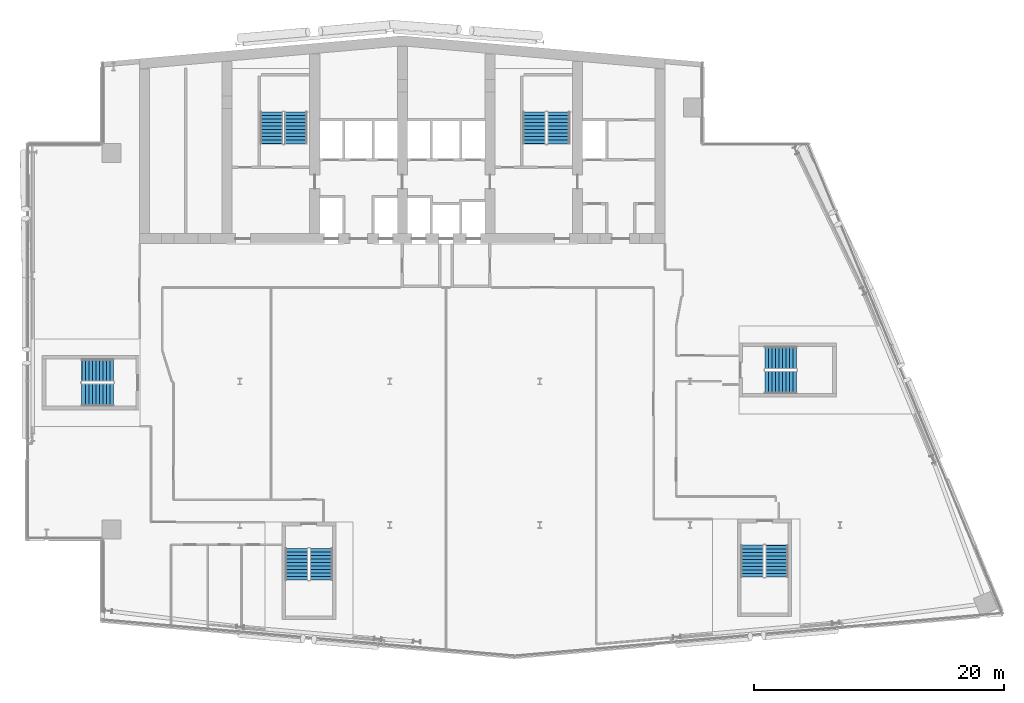
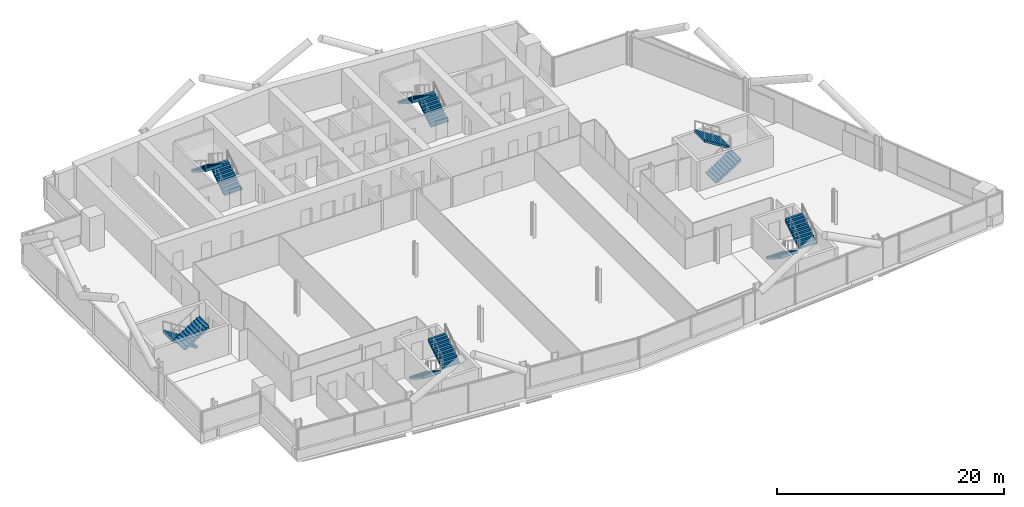
# One storey, part 20 of 26: 12 stair flights, 6 elements without a shape of their own.
"""IFC4 building model written with IfcOpenShell, lengths in metres."""

from ifc_helpers import new_model, si_unit, direction, frame, origin, place, context, subcontext, project, spatial, polyline, outline, extrude, material, type_object, element, aggregate, save


model = new_model("IFC4")

# Units and contexts
model_context = context("Model", 3, precision=1e-05, world=origin(), true_north=direction((0.0, 1.0)))
body_context = subcontext(model_context, "Body", "Model", "MODEL_VIEW")
ifc_project = project(units=[si_unit("LENGTHUNIT", "METRE"), si_unit("AREAUNIT", "SQUARE_METRE"), si_unit("VOLUMEUNIT", "CUBIC_METRE"), si_unit("PLANEANGLEUNIT", "RADIAN"), si_unit("MASSUNIT", "GRAM", prefix="KILO")], contexts=[model_context])

# Site, building, storey
site_placement = place(None, origin())
site = spatial("IfcSite", under=ifc_project, at=site_placement, CompositionType="ELEMENT")
building_placement = place(site_placement, origin())
building = spatial("IfcBuilding", under=site, at=building_placement, Name="Wharfspan Tower", CompositionType="ELEMENT")
storey_placement = place(building_placement, frame((0.0, 0.0, 177.100098)))
storey = spatial("IfcBuildingStorey", under=building, at=storey_placement, Name="L43", CompositionType="ELEMENT", Elevation=177.100098)

# Stair, stair flights
ifc_material = material(Name="Concrete C40/50", Category="concrete")
stair_type = type_object("IfcStairType", Name="Half-turn stair 20 risers 180 mm", PredefinedType="HALF_TURN_STAIR", material=ifc_material)
stair_1_placement = place(storey_placement, origin())
stair_1 = element("IfcStair", 1, at=stair_1_placement, inside=storey, type_object=stair_type, Name="L43 stair ST1", PredefinedType="HALF_TURN_STAIR")
stair_flight_type = type_object("IfcStairFlightType", Name="Stair flight 20 risers 180 mm", PredefinedType="STRAIGHT", material=ifc_material)
stair_flight_1_placement = place(storey_placement, frame((28.5, 42.0, 0.0), z_axis=(0.0, 0.0, 1.0), x_axis=(0.0, 1.0, 0.0)))
stair_flight_1 = element("IfcStairFlight", 2, at=stair_flight_1_placement, type_object=stair_flight_type, Name="ST1 flight 1", NumberOfRisers=10, NumberOfTreads=9, PredefinedType="STRAIGHT", RiserHeight=0.18, TreadLength=0.28, context=body_context, shape_type="SweptSolid", body=[
    extrude(outline(polyline([(-0.011963, 0.0), (-0.011963, 0.179932), (0.0, 0.179932), (0.280029, 0.179932), (0.280029, 0.360107), (0.560059, 0.360107), (0.560059, 0.540039), (0.840088, 0.540039), (0.840088, 0.719971), (1.120117, 0.719971), (1.120117, 0.899902), (1.399902, 0.899902), (1.399902, 1.080078), (1.679932, 1.080078), (1.679932, 1.26001), (1.959961, 1.26001), (1.959961, 1.439941), (2.23999, 1.439941), (2.23999, 1.620117), (2.52002, 1.620117), (2.531982, 1.800049), (2.531982, 1.441895), (0.2771, 0.0), (-0.011963, 0.0)])), frame((0.0, 0.899902, 0.0), z_axis=(0.0, -1.0, 0.0), x_axis=(1.0, 0.0, 0.0)), (0.0, 0.0, 1.0), 0.899414),
    extrude(outline(polyline([(-0.011963, 0.0), (-0.011963, 0.179932), (0.0, 0.179932), (0.280029, 0.179932), (0.280029, 0.360107), (0.560059, 0.360107), (0.560059, 0.540039), (0.840088, 0.540039), (0.840088, 0.719971), (1.120117, 0.719971), (1.120117, 0.899902), (1.399902, 0.899902), (1.399902, 1.080078), (1.679932, 1.080078), (1.679932, 1.26001), (1.959961, 1.26001), (1.959961, 1.439941), (2.23999, 1.439941), (2.23999, 1.620117), (2.52002, 1.620117), (2.531982, 1.800049), (2.531982, 1.441895), (0.2771, 0.0), (-0.011963, 0.0)])), frame((0.0, -0.000488, 0.0), z_axis=(0.0, -1.0, 0.0), x_axis=(1.0, 0.0, 0.0)), (0.0, 0.0, 1.0), 0.899414),
])
stair_flight_2_placement = place(storey_placement, frame((26.550049, 44.52002, 1.799805), z_axis=(0.0, 0.0, 1.0), x_axis=(0.0, -1.0, 0.0)))
stair_flight_2 = element("IfcStairFlight", 3, at=stair_flight_2_placement, type_object=stair_flight_type, Name="ST1 flight 2", NumberOfRisers=10, NumberOfTreads=9, PredefinedType="STRAIGHT", RiserHeight=0.18, TreadLength=0.28, context=body_context, shape_type="SweptSolid", body=[
    extrude(outline(polyline([(-0.011963, 0.0), (-0.011963, 0.179932), (0.0, 0.179932), (0.280029, 0.179932), (0.280029, 0.360107), (0.560059, 0.360107), (0.560059, 0.540039), (0.840088, 0.540039), (0.840088, 0.719971), (1.120117, 0.719971), (1.120117, 0.899902), (1.399902, 0.899902), (1.399902, 1.080078), (1.679932, 1.080078), (1.679932, 1.26001), (1.959961, 1.26001), (1.959961, 1.439941), (2.23999, 1.439941), (2.23999, 1.620117), (2.52002, 1.620117), (2.531982, 1.800049), (2.531982, 1.441895), (0.2771, 0.0), (-0.011963, 0.0)])), frame((0.0, 0.899902, 0.0), z_axis=(0.0, -1.0, 0.0), x_axis=(1.0, 0.0, 0.0)), (0.0, 0.0, 1.0), 0.899414),
    extrude(outline(polyline([(-0.011963, 0.0), (-0.011963, 0.179932), (0.0, 0.179932), (0.280029, 0.179932), (0.280029, 0.360107), (0.560059, 0.360107), (0.560059, 0.540039), (0.840088, 0.540039), (0.840088, 0.719971), (1.120117, 0.719971), (1.120117, 0.899902), (1.399902, 0.899902), (1.399902, 1.080078), (1.679932, 1.080078), (1.679932, 1.26001), (1.959961, 1.26001), (1.959961, 1.439941), (2.23999, 1.439941), (2.23999, 1.620117), (2.52002, 1.620117), (2.531982, 1.800049), (2.531982, 1.441895), (0.2771, 0.0), (-0.011963, 0.0)])), frame((0.0, -0.000488, 0.0), z_axis=(0.0, -1.0, 0.0), x_axis=(1.0, 0.0, 0.0)), (0.0, 0.0, 1.0), 0.899414),
])
aggregate(stair_1, [stair_flight_1, stair_flight_2])

stair_2_placement = place(storey_placement, origin())
stair_2 = element("IfcStair", 4, at=stair_2_placement, inside=storey, type_object=stair_type, Name="L43 stair ST2", PredefinedType="HALF_TURN_STAIR")
stair_flight_3_placement = place(storey_placement, frame((49.5, 42.0, 0.0), z_axis=(0.0, 0.0, 1.0), x_axis=(0.0, 1.0, 0.0)))
stair_flight_3 = element("IfcStairFlight", 5, at=stair_flight_3_placement, type_object=stair_flight_type, Name="ST2 flight 1", NumberOfRisers=10, NumberOfTreads=9, PredefinedType="STRAIGHT", RiserHeight=0.18, TreadLength=0.28, context=body_context, shape_type="SweptSolid", body=[
    extrude(outline(polyline([(-0.011963, 0.0), (-0.011963, 0.179932), (0.0, 0.179932), (0.280029, 0.179932), (0.280029, 0.360107), (0.560059, 0.360107), (0.560059, 0.540039), (0.840088, 0.540039), (0.840088, 0.719971), (1.120117, 0.719971), (1.120117, 0.899902), (1.399902, 0.899902), (1.399902, 1.080078), (1.679932, 1.080078), (1.679932, 1.26001), (1.959961, 1.26001), (1.959961, 1.439941), (2.23999, 1.439941), (2.23999, 1.620117), (2.52002, 1.620117), (2.531982, 1.800049), (2.531982, 1.441895), (0.2771, 0.0), (-0.011963, 0.0)])), frame((0.0, 0.899902, 0.0), z_axis=(0.0, -1.0, 0.0), x_axis=(1.0, 0.0, 0.0)), (0.0, 0.0, 1.0), 0.899414),
    extrude(outline(polyline([(-0.011963, 0.0), (-0.011963, 0.179932), (0.0, 0.179932), (0.280029, 0.179932), (0.280029, 0.360107), (0.560059, 0.360107), (0.560059, 0.540039), (0.840088, 0.540039), (0.840088, 0.719971), (1.120117, 0.719971), (1.120117, 0.899902), (1.399902, 0.899902), (1.399902, 1.080078), (1.679932, 1.080078), (1.679932, 1.26001), (1.959961, 1.26001), (1.959961, 1.439941), (2.23999, 1.439941), (2.23999, 1.620117), (2.52002, 1.620117), (2.531982, 1.800049), (2.531982, 1.441895), (0.2771, 0.0), (-0.011963, 0.0)])), frame((0.0, -0.000488, 0.0), z_axis=(0.0, -1.0, 0.0), x_axis=(1.0, 0.0, 0.0)), (0.0, 0.0, 1.0), 0.899414),
])
stair_flight_4_placement = place(storey_placement, frame((47.550049, 44.52002, 1.799805), z_axis=(0.0, 0.0, 1.0), x_axis=(0.0, -1.0, 0.0)))
stair_flight_4 = element("IfcStairFlight", 6, at=stair_flight_4_placement, type_object=stair_flight_type, Name="ST2 flight 2", NumberOfRisers=10, NumberOfTreads=9, PredefinedType="STRAIGHT", RiserHeight=0.18, TreadLength=0.28, context=body_context, shape_type="SweptSolid", body=[
    extrude(outline(polyline([(-0.011963, 0.0), (-0.011963, 0.179932), (0.0, 0.179932), (0.280029, 0.179932), (0.280029, 0.360107), (0.560059, 0.360107), (0.560059, 0.540039), (0.840088, 0.540039), (0.840088, 0.719971), (1.120117, 0.719971), (1.120117, 0.899902), (1.399902, 0.899902), (1.399902, 1.080078), (1.679932, 1.080078), (1.679932, 1.26001), (1.959961, 1.26001), (1.959961, 1.439941), (2.23999, 1.439941), (2.23999, 1.620117), (2.52002, 1.620117), (2.531982, 1.800049), (2.531982, 1.441895), (0.2771, 0.0), (-0.011963, 0.0)])), frame((0.0, 0.899902, 0.0), z_axis=(0.0, -1.0, 0.0), x_axis=(1.0, 0.0, 0.0)), (0.0, 0.0, 1.0), 0.899414),
    extrude(outline(polyline([(-0.011963, 0.0), (-0.011963, 0.179932), (0.0, 0.179932), (0.280029, 0.179932), (0.280029, 0.360107), (0.560059, 0.360107), (0.560059, 0.540039), (0.840088, 0.540039), (0.840088, 0.719971), (1.120117, 0.719971), (1.120117, 0.899902), (1.399902, 0.899902), (1.399902, 1.080078), (1.679932, 1.080078), (1.679932, 1.26001), (1.959961, 1.26001), (1.959961, 1.439941), (2.23999, 1.439941), (2.23999, 1.620117), (2.52002, 1.620117), (2.531982, 1.800049), (2.531982, 1.441895), (0.2771, 0.0), (-0.011963, 0.0)])), frame((0.0, -0.000488, 0.0), z_axis=(0.0, -1.0, 0.0), x_axis=(1.0, 0.0, 0.0)), (0.0, 0.0, 1.0), 0.899414),
])
aggregate(stair_2, [stair_flight_3, stair_flight_4])

stair_3_placement = place(storey_placement, origin())
stair_3 = element("IfcStair", 7, at=stair_3_placement, inside=storey, type_object=stair_type, Name="L43 stair ST3", PredefinedType="HALF_TURN_STAIR")
stair_flight_5_placement = place(storey_placement, frame((13.899902, 23.875, 0.0), z_axis=(0.0, 0.0, 1.0), x_axis=(-1.0, 0.0, 0.0)))
stair_flight_5 = element("IfcStairFlight", 8, at=stair_flight_5_placement, type_object=stair_flight_type, Name="ST3 flight 1", NumberOfRisers=10, NumberOfTreads=9, PredefinedType="STRAIGHT", RiserHeight=0.18, TreadLength=0.28, context=body_context, shape_type="SweptSolid", body=[
    extrude(outline(polyline([(-0.011963, 0.0), (-0.011963, 0.179932), (0.0, 0.179932), (0.280029, 0.179932), (0.280029, 0.360107), (0.560059, 0.360107), (0.560059, 0.540039), (0.840088, 0.540039), (0.840088, 0.719971), (1.120117, 0.719971), (1.120117, 0.899902), (1.399902, 0.899902), (1.399902, 1.080078), (1.679932, 1.080078), (1.679932, 1.26001), (1.959961, 1.26001), (1.959961, 1.439941), (2.23999, 1.439941), (2.23999, 1.620117), (2.52002, 1.620117), (2.531982, 1.800049), (2.531982, 1.441895), (0.2771, 0.0), (-0.011963, 0.0)])), frame((0.0, 0.899902, 0.0), z_axis=(0.0, -1.0, 0.0), x_axis=(1.0, 0.0, 0.0)), (0.0, 0.0, 1.0), 0.899414),
    extrude(outline(polyline([(-0.011963, 0.0), (-0.011963, 0.179932), (0.0, 0.179932), (0.280029, 0.179932), (0.280029, 0.360107), (0.560059, 0.360107), (0.560059, 0.540039), (0.840088, 0.540039), (0.840088, 0.719971), (1.120117, 0.719971), (1.120117, 0.899902), (1.399902, 0.899902), (1.399902, 1.080078), (1.679932, 1.080078), (1.679932, 1.26001), (1.959961, 1.26001), (1.959961, 1.439941), (2.23999, 1.439941), (2.23999, 1.620117), (2.52002, 1.620117), (2.531982, 1.800049), (2.531982, 1.441895), (0.2771, 0.0), (-0.011963, 0.0)])), frame((0.0, -0.000488, 0.0), z_axis=(0.0, -1.0, 0.0), x_axis=(1.0, 0.0, 0.0)), (0.0, 0.0, 1.0), 0.899414),
])
stair_flight_6_placement = place(storey_placement, frame((11.379883, 21.925049, 1.799805), z_axis=(0.0, 0.0, 1.0), x_axis=(1.0, 0.0, 0.0)))
stair_flight_6 = element("IfcStairFlight", 9, at=stair_flight_6_placement, type_object=stair_flight_type, Name="ST3 flight 2", NumberOfRisers=10, NumberOfTreads=9, PredefinedType="STRAIGHT", RiserHeight=0.18, TreadLength=0.28, context=body_context, shape_type="SweptSolid", body=[
    extrude(outline(polyline([(-0.011963, 0.0), (-0.011963, 0.179932), (0.0, 0.179932), (0.280029, 0.179932), (0.280029, 0.360107), (0.560059, 0.360107), (0.560059, 0.540039), (0.840088, 0.540039), (0.840088, 0.719971), (1.120117, 0.719971), (1.120117, 0.899902), (1.399902, 0.899902), (1.399902, 1.080078), (1.679932, 1.080078), (1.679932, 1.26001), (1.959961, 1.26001), (1.959961, 1.439941), (2.23999, 1.439941), (2.23999, 1.620117), (2.52002, 1.620117), (2.531982, 1.800049), (2.531982, 1.441895), (0.2771, 0.0), (-0.011963, 0.0)])), frame((0.0, 0.899902, 0.0), z_axis=(0.0, -1.0, 0.0), x_axis=(1.0, 0.0, 0.0)), (0.0, 0.0, 1.0), 0.899414),
    extrude(outline(polyline([(-0.011963, 0.0), (-0.011963, 0.179932), (0.0, 0.179932), (0.280029, 0.179932), (0.280029, 0.360107), (0.560059, 0.360107), (0.560059, 0.540039), (0.840088, 0.540039), (0.840088, 0.719971), (1.120117, 0.719971), (1.120117, 0.899902), (1.399902, 0.899902), (1.399902, 1.080078), (1.679932, 1.080078), (1.679932, 1.26001), (1.959961, 1.26001), (1.959961, 1.439941), (2.23999, 1.439941), (2.23999, 1.620117), (2.52002, 1.620117), (2.531982, 1.800049), (2.531982, 1.441895), (0.2771, 0.0), (-0.011963, 0.0)])), frame((0.0, -0.000488, 0.0), z_axis=(0.0, -1.0, 0.0), x_axis=(1.0, 0.0, 0.0)), (0.0, 0.0, 1.0), 0.899414),
])
aggregate(stair_3, [stair_flight_5, stair_flight_6])

stair_4_placement = place(storey_placement, origin())
stair_4 = element("IfcStair", 10, at=stair_4_placement, inside=storey, type_object=stair_type, Name="L43 stair ST4", PredefinedType="HALF_TURN_STAIR")
stair_flight_7_placement = place(storey_placement, frame((28.564209, 9.634277, 0.0), z_axis=(0.0, 0.0, 1.0), x_axis=(0.0, -1.0, 0.0)))
stair_flight_7 = element("IfcStairFlight", 11, at=stair_flight_7_placement, type_object=stair_flight_type, Name="ST4 flight 1", NumberOfRisers=10, NumberOfTreads=9, PredefinedType="STRAIGHT", RiserHeight=0.18, TreadLength=0.28, context=body_context, shape_type="SweptSolid", body=[
    extrude(outline(polyline([(-0.011963, 0.0), (-0.011963, 0.179932), (0.0, 0.179932), (0.280029, 0.179932), (0.280029, 0.360107), (0.560059, 0.360107), (0.560059, 0.540039), (0.840088, 0.540039), (0.840088, 0.719971), (1.120117, 0.719971), (1.120117, 0.899902), (1.399902, 0.899902), (1.399902, 1.080078), (1.679932, 1.080078), (1.679932, 1.26001), (1.959961, 1.26001), (1.959961, 1.439941), (2.23999, 1.439941), (2.23999, 1.620117), (2.52002, 1.620117), (2.531982, 1.800049), (2.531982, 1.441895), (0.2771, 0.0), (-0.011963, 0.0)])), frame((0.0, 0.899902, 0.0), z_axis=(0.0, -1.0, 0.0), x_axis=(1.0, 0.0, 0.0)), (0.0, 0.0, 1.0), 0.899414),
    extrude(outline(polyline([(-0.011963, 0.0), (-0.011963, 0.179932), (0.0, 0.179932), (0.280029, 0.179932), (0.280029, 0.360107), (0.560059, 0.360107), (0.560059, 0.540039), (0.840088, 0.540039), (0.840088, 0.719971), (1.120117, 0.719971), (1.120117, 0.899902), (1.399902, 0.899902), (1.399902, 1.080078), (1.679932, 1.080078), (1.679932, 1.26001), (1.959961, 1.26001), (1.959961, 1.439941), (2.23999, 1.439941), (2.23999, 1.620117), (2.52002, 1.620117), (2.531982, 1.800049), (2.531982, 1.441895), (0.2771, 0.0), (-0.011963, 0.0)])), frame((0.0, -0.000488, 0.0), z_axis=(0.0, -1.0, 0.0), x_axis=(1.0, 0.0, 0.0)), (0.0, 0.0, 1.0), 0.899414),
])
stair_flight_8_placement = place(storey_placement, frame((30.51416, 7.114258, 1.799805), z_axis=(0.0, 0.0, 1.0), x_axis=(0.0, 1.0, 0.0)))
stair_flight_8 = element("IfcStairFlight", 12, at=stair_flight_8_placement, type_object=stair_flight_type, Name="ST4 flight 2", NumberOfRisers=10, NumberOfTreads=9, PredefinedType="STRAIGHT", RiserHeight=0.18, TreadLength=0.28, context=body_context, shape_type="SweptSolid", body=[
    extrude(outline(polyline([(-0.011963, 0.0), (-0.011963, 0.179932), (0.0, 0.179932), (0.280029, 0.179932), (0.280029, 0.360107), (0.560059, 0.360107), (0.560059, 0.540039), (0.840088, 0.540039), (0.840088, 0.719971), (1.120117, 0.719971), (1.120117, 0.899902), (1.399902, 0.899902), (1.399902, 1.080078), (1.679932, 1.080078), (1.679932, 1.26001), (1.959961, 1.26001), (1.959961, 1.439941), (2.23999, 1.439941), (2.23999, 1.620117), (2.52002, 1.620117), (2.531982, 1.800049), (2.531982, 1.441895), (0.2771, 0.0), (-0.011963, 0.0)])), frame((0.0, 0.899902, 0.0), z_axis=(0.0, -1.0, 0.0), x_axis=(1.0, 0.0, 0.0)), (0.0, 0.0, 1.0), 0.899414),
    extrude(outline(polyline([(-0.011963, 0.0), (-0.011963, 0.179932), (0.0, 0.179932), (0.280029, 0.179932), (0.280029, 0.360107), (0.560059, 0.360107), (0.560059, 0.540039), (0.840088, 0.540039), (0.840088, 0.719971), (1.120117, 0.719971), (1.120117, 0.899902), (1.399902, 0.899902), (1.399902, 1.080078), (1.679932, 1.080078), (1.679932, 1.26001), (1.959961, 1.26001), (1.959961, 1.439941), (2.23999, 1.439941), (2.23999, 1.620117), (2.52002, 1.620117), (2.531982, 1.800049), (2.531982, 1.441895), (0.2771, 0.0), (-0.011963, 0.0)])), frame((0.0, -0.000488, 0.0), z_axis=(0.0, -1.0, 0.0), x_axis=(1.0, 0.0, 0.0)), (0.0, 0.0, 1.0), 0.899414),
])
aggregate(stair_4, [stair_flight_7, stair_flight_8])

stair_5_placement = place(storey_placement, origin())
stair_5 = element("IfcStair", 13, at=stair_5_placement, inside=storey, type_object=stair_type, Name="L43 stair ST5", PredefinedType="HALF_TURN_STAIR")
stair_flight_9_placement = place(storey_placement, frame((64.986328, 9.883789, 0.0), z_axis=(0.0, 0.0, 1.0), x_axis=(0.0, -1.0, 0.0)))
stair_flight_9 = element("IfcStairFlight", 14, at=stair_flight_9_placement, type_object=stair_flight_type, Name="ST5 flight 1", NumberOfRisers=10, NumberOfTreads=9, PredefinedType="STRAIGHT", RiserHeight=0.18, TreadLength=0.28, context=body_context, shape_type="SweptSolid", body=[
    extrude(outline(polyline([(-0.011963, 0.0), (-0.011963, 0.179932), (0.0, 0.179932), (0.280029, 0.179932), (0.280029, 0.360107), (0.560059, 0.360107), (0.560059, 0.540039), (0.840088, 0.540039), (0.840088, 0.719971), (1.120117, 0.719971), (1.120117, 0.899902), (1.399902, 0.899902), (1.399902, 1.080078), (1.679932, 1.080078), (1.679932, 1.26001), (1.959961, 1.26001), (1.959961, 1.439941), (2.23999, 1.439941), (2.23999, 1.620117), (2.52002, 1.620117), (2.531982, 1.800049), (2.531982, 1.441895), (0.2771, 0.0), (-0.011963, 0.0)])), frame((0.0, 0.899902, 0.0), z_axis=(0.0, -1.0, 0.0), x_axis=(1.0, 0.0, 0.0)), (0.0, 0.0, 1.0), 0.899414),
    extrude(outline(polyline([(-0.011963, 0.0), (-0.011963, 0.179932), (0.0, 0.179932), (0.280029, 0.179932), (0.280029, 0.360107), (0.560059, 0.360107), (0.560059, 0.540039), (0.840088, 0.540039), (0.840088, 0.719971), (1.120117, 0.719971), (1.120117, 0.899902), (1.399902, 0.899902), (1.399902, 1.080078), (1.679932, 1.080078), (1.679932, 1.26001), (1.959961, 1.26001), (1.959961, 1.439941), (2.23999, 1.439941), (2.23999, 1.620117), (2.52002, 1.620117), (2.531982, 1.800049), (2.531982, 1.441895), (0.2771, 0.0), (-0.011963, 0.0)])), frame((0.0, -0.000488, 0.0), z_axis=(0.0, -1.0, 0.0), x_axis=(1.0, 0.0, 0.0)), (0.0, 0.0, 1.0), 0.899414),
])
stair_flight_10_placement = place(storey_placement, frame((66.936279, 7.36377, 1.799805), z_axis=(0.0, 0.0, 1.0), x_axis=(0.0, 1.0, 0.0)))
stair_flight_10 = element("IfcStairFlight", 15, at=stair_flight_10_placement, type_object=stair_flight_type, Name="ST5 flight 2", NumberOfRisers=10, NumberOfTreads=9, PredefinedType="STRAIGHT", RiserHeight=0.18, TreadLength=0.28, context=body_context, shape_type="SweptSolid", body=[
    extrude(outline(polyline([(-0.011963, 0.0), (-0.011963, 0.179932), (0.0, 0.179932), (0.280029, 0.179932), (0.280029, 0.360107), (0.560059, 0.360107), (0.560059, 0.540039), (0.840088, 0.540039), (0.840088, 0.719971), (1.120117, 0.719971), (1.120117, 0.899902), (1.399902, 0.899902), (1.399902, 1.080078), (1.679932, 1.080078), (1.679932, 1.26001), (1.959961, 1.26001), (1.959961, 1.439941), (2.23999, 1.439941), (2.23999, 1.620117), (2.52002, 1.620117), (2.531982, 1.800049), (2.531982, 1.441895), (0.2771, 0.0), (-0.011963, 0.0)])), frame((0.0, 0.899902, 0.0), z_axis=(0.0, -1.0, 0.0), x_axis=(1.0, 0.0, 0.0)), (0.0, 0.0, 1.0), 0.899414),
    extrude(outline(polyline([(-0.011963, 0.0), (-0.011963, 0.179932), (0.0, 0.179932), (0.280029, 0.179932), (0.280029, 0.360107), (0.560059, 0.360107), (0.560059, 0.540039), (0.840088, 0.540039), (0.840088, 0.719971), (1.120117, 0.719971), (1.120117, 0.899902), (1.399902, 0.899902), (1.399902, 1.080078), (1.679932, 1.080078), (1.679932, 1.26001), (1.959961, 1.26001), (1.959961, 1.439941), (2.23999, 1.439941), (2.23999, 1.620117), (2.52002, 1.620117), (2.531982, 1.800049), (2.531982, 1.441895), (0.2771, 0.0), (-0.011963, 0.0)])), frame((0.0, -0.000488, 0.0), z_axis=(0.0, -1.0, 0.0), x_axis=(1.0, 0.0, 0.0)), (0.0, 0.0, 1.0), 0.899414),
])
aggregate(stair_5, [stair_flight_9, stair_flight_10])

stair_6_placement = place(storey_placement, origin())
stair_6 = element("IfcStair", 16, at=stair_6_placement, inside=storey, type_object=stair_type, Name="L43 stair ST6", PredefinedType="HALF_TURN_STAIR")
stair_flight_11_placement = place(storey_placement, frame((66.004639, 22.925049, 0.0), z_axis=(0.0, 0.0, 1.0), x_axis=(1.0, 0.0, 0.0)))
stair_flight_11 = element("IfcStairFlight", 17, at=stair_flight_11_placement, type_object=stair_flight_type, Name="ST6 flight 1", NumberOfRisers=10, NumberOfTreads=9, PredefinedType="STRAIGHT", RiserHeight=0.18, TreadLength=0.28, context=body_context, shape_type="SweptSolid", body=[
    extrude(outline(polyline([(-0.011963, 0.0), (-0.011963, 0.179932), (0.0, 0.179932), (0.280029, 0.179932), (0.280029, 0.360107), (0.560059, 0.360107), (0.560059, 0.540039), (0.840088, 0.540039), (0.840088, 0.719971), (1.120117, 0.719971), (1.120117, 0.899902), (1.399902, 0.899902), (1.399902, 1.080078), (1.679932, 1.080078), (1.679932, 1.26001), (1.959961, 1.26001), (1.959961, 1.439941), (2.23999, 1.439941), (2.23999, 1.620117), (2.52002, 1.620117), (2.531982, 1.800049), (2.531982, 1.441895), (0.2771, 0.0), (-0.011963, 0.0)])), frame((0.0, 0.899902, 0.0), z_axis=(0.0, -1.0, 0.0), x_axis=(1.0, 0.0, 0.0)), (0.0, 0.0, 1.0), 0.899414),
    extrude(outline(polyline([(-0.011963, 0.0), (-0.011963, 0.179932), (0.0, 0.179932), (0.280029, 0.179932), (0.280029, 0.360107), (0.560059, 0.360107), (0.560059, 0.540039), (0.840088, 0.540039), (0.840088, 0.719971), (1.120117, 0.719971), (1.120117, 0.899902), (1.399902, 0.899902), (1.399902, 1.080078), (1.679932, 1.080078), (1.679932, 1.26001), (1.959961, 1.26001), (1.959961, 1.439941), (2.23999, 1.439941), (2.23999, 1.620117), (2.52002, 1.620117), (2.531982, 1.800049), (2.531982, 1.441895), (0.2771, 0.0), (-0.011963, 0.0)])), frame((0.0, -0.000488, 0.0), z_axis=(0.0, -1.0, 0.0), x_axis=(1.0, 0.0, 0.0)), (0.0, 0.0, 1.0), 0.899414),
])
stair_flight_12_placement = place(storey_placement, frame((68.524658, 24.875, 1.799805), z_axis=(0.0, 0.0, 1.0), x_axis=(-1.0, 0.0, 0.0)))
stair_flight_12 = element("IfcStairFlight", 18, at=stair_flight_12_placement, type_object=stair_flight_type, Name="ST6 flight 2", NumberOfRisers=10, NumberOfTreads=9, PredefinedType="STRAIGHT", RiserHeight=0.18, TreadLength=0.28, context=body_context, shape_type="SweptSolid", body=[
    extrude(outline(polyline([(-0.011963, 0.0), (-0.011963, 0.179932), (0.0, 0.179932), (0.280029, 0.179932), (0.280029, 0.360107), (0.560059, 0.360107), (0.560059, 0.540039), (0.840088, 0.540039), (0.840088, 0.719971), (1.120117, 0.719971), (1.120117, 0.899902), (1.399902, 0.899902), (1.399902, 1.080078), (1.679932, 1.080078), (1.679932, 1.26001), (1.959961, 1.26001), (1.959961, 1.439941), (2.23999, 1.439941), (2.23999, 1.620117), (2.52002, 1.620117), (2.531982, 1.800049), (2.531982, 1.441895), (0.2771, 0.0), (-0.011963, 0.0)])), frame((0.0, 0.899902, 0.0), z_axis=(0.0, -1.0, 0.0), x_axis=(1.0, 0.0, 0.0)), (0.0, 0.0, 1.0), 0.899414),
    extrude(outline(polyline([(-0.011963, 0.0), (-0.011963, 0.179932), (0.0, 0.179932), (0.280029, 0.179932), (0.280029, 0.360107), (0.560059, 0.360107), (0.560059, 0.540039), (0.840088, 0.540039), (0.840088, 0.719971), (1.120117, 0.719971), (1.120117, 0.899902), (1.399902, 0.899902), (1.399902, 1.080078), (1.679932, 1.080078), (1.679932, 1.26001), (1.959961, 1.26001), (1.959961, 1.439941), (2.23999, 1.439941), (2.23999, 1.620117), (2.52002, 1.620117), (2.531982, 1.800049), (2.531982, 1.441895), (0.2771, 0.0), (-0.011963, 0.0)])), frame((0.0, -0.000488, 0.0), z_axis=(0.0, -1.0, 0.0), x_axis=(1.0, 0.0, 0.0)), (0.0, 0.0, 1.0), 0.899414),
])
aggregate(stair_6, [stair_flight_11, stair_flight_12])

save(model, "model.ifc")
